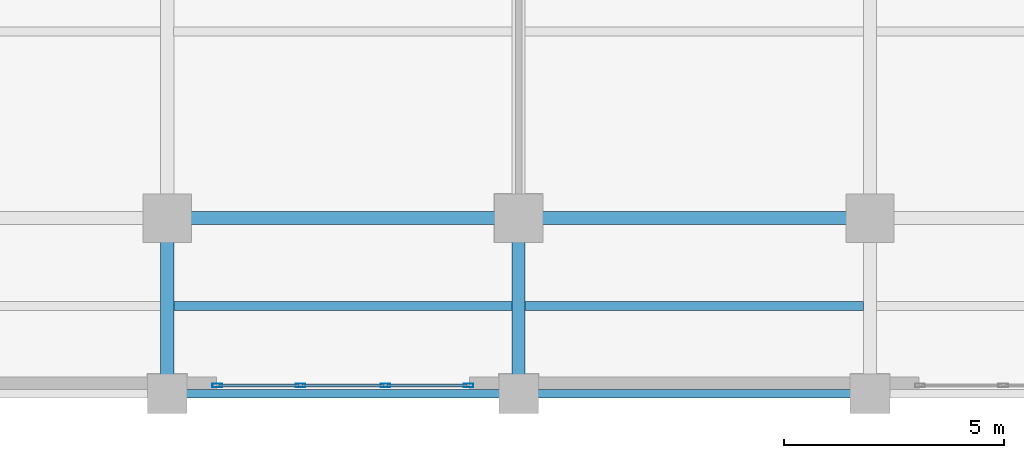
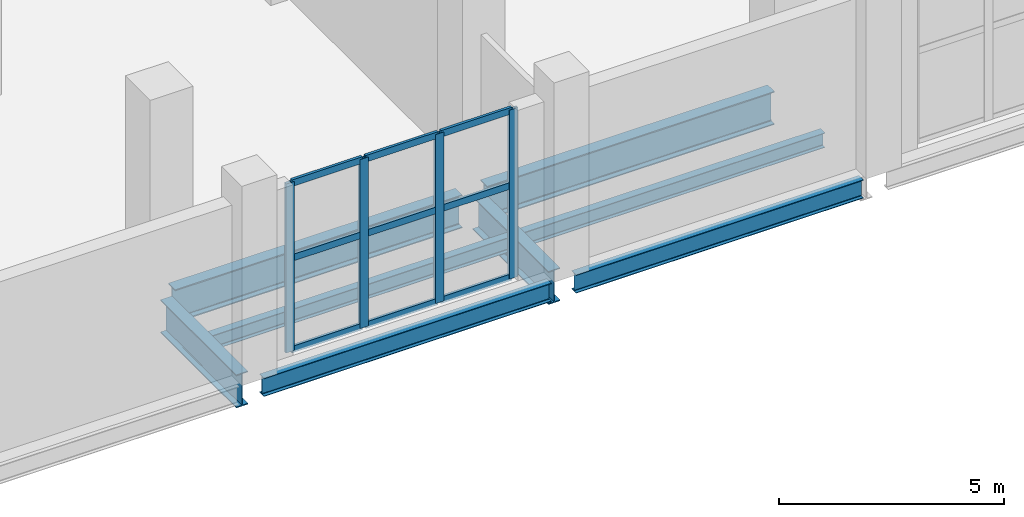
# One storey, part 6 of 18: 13 members, 8 beams, 1 element without a shape of its own.
"""IFC4 building model written with IfcOpenShell, lengths in metres."""

import ifcopenshell
import ifcopenshell.guid

model = None  # the IFC model being written
_history = None  # IfcOwnerHistory: only IFC2X3 demands one
_inside = {}  # id of a spatial element -> (the spatial element, [elements in it])
_under = {}  # id of a project, library or spatial element -> (it, [spatial elements below it])
_declared = {}  # id of a project -> (the project, [libraries it declares])
_typed = {}  # id of a type object -> (the type object, [elements of that type])
_made_of = {}  # id of a material, layer set ... -> (it, [elements and type objects made of it])


def new_model(schema):
    """Start an empty IFC model of exactly this schema.

    Asked for "IFC4X3", IfcOpenShell would pick the latest addendum, in which some entities
    have other attributes; the version numbers below select the first issue.
    IFC2X3 requires an IfcOwnerHistory on every rooted entity: one is made here for all.
    """
    global model, _history
    if schema == "IFC4X3":
        model = ifcopenshell.file(schema_version=(4, 3, 0, 0))
    else:
        model = ifcopenshell.file(schema=schema)
    _inside.clear()
    _under.clear()
    _declared.clear()
    _typed.clear()
    _made_of.clear()
    _history = None
    if model.schema == "IFC2X3":
        org = make("IfcOrganization", Name="unknown")
        user = make(
            "IfcPersonAndOrganization",
            ThePerson=make("IfcPerson", FamilyName="unknown"),
            TheOrganization=org,
        )
        app = make(
            "IfcApplication",
            ApplicationDeveloper=org,
            Version="unknown",
            ApplicationFullName="unknown",
            ApplicationIdentifier="unknown",
        )
        _history = make(
            "IfcOwnerHistory",
            OwningUser=user,
            OwningApplication=app,
            ChangeAction="ADDED",
            CreationDate=0,
        )
    return model


def make(cls, **values):
    """One entity of the class cls with the attributes given. An attribute that is None is left unset."""
    return model.create_entity(
        cls, **{name: value for name, value in values.items() if value is not None}
    )


def rooted(cls, **values):
    """An entity with a GlobalId (a new one), such as an element, a storey or a relation."""
    return make(cls, GlobalId=ifcopenshell.guid.new(), OwnerHistory=_history, **values)


def si_unit(unit_type, name, prefix=None):
    """IfcSIUnit, for example si_unit("LENGTHUNIT", "METRE", prefix="MILLI")."""
    return make("IfcSIUnit", UnitType=unit_type, Prefix=prefix, Name=name)


def assignment(units):
    """IfcUnitAssignment: the units of a project."""
    return None if units is None else make("IfcUnitAssignment", Units=units)


def point(xyz):
    """IfcCartesianPoint."""
    return None if xyz is None else make("IfcCartesianPoint", Coordinates=xyz)


def direction(xyz):
    """IfcDirection."""
    return None if xyz is None else make("IfcDirection", DirectionRatios=xyz)


def frame(location, z_axis=None, x_axis=None):
    """IfcAxis2Placement3D, a coordinate frame: its origin and axes. An axis left out is left unset."""
    return make(
        "IfcAxis2Placement3D",
        Location=point(location),
        Axis=direction(z_axis),
        RefDirection=direction(x_axis),
    )


def frame_2d(location, x_axis=None):
    """IfcAxis2Placement2D, a coordinate frame in the plane: its origin and x axis."""
    return make(
        "IfcAxis2Placement2D", Location=point(location), RefDirection=direction(x_axis)
    )


def origin():
    """The frame at (0, 0, 0) with its axes left unset."""
    return frame((0.0, 0.0, 0.0))


def origin_2d():
    """The frame at (0, 0) in the plane with its x axis left unset."""
    return frame_2d((0.0, 0.0))


def place(relative_to, where):
    """IfcLocalPlacement: puts the frame where relative to a parent placement (None: the world)."""
    return make(
        "IfcLocalPlacement", PlacementRelTo=relative_to, RelativePlacement=where
    )


def context(
    kind, dimensions, precision=None, world=None, true_north=None, identifier=None
):
    """IfcGeometricRepresentationContext, for example the 3D "Model" context."""
    return make(
        "IfcGeometricRepresentationContext",
        ContextIdentifier=identifier,
        ContextType=kind,
        CoordinateSpaceDimension=dimensions,
        Precision=precision,
        WorldCoordinateSystem=world,
        TrueNorth=true_north,
    )


def subcontext(parent, identifier, kind, view, scale=None):
    """IfcGeometricRepresentationSubContext, for example "Body" below "Model"."""
    return make(
        "IfcGeometricRepresentationSubContext",
        ContextIdentifier=identifier,
        ContextType=kind,
        ParentContext=parent,
        TargetScale=scale,
        TargetView=view,
    )


def project(units=None, contexts=None):
    """IfcProject with its units and contexts."""
    return rooted(
        "IfcProject",
        Name="project",
        RepresentationContexts=contexts,
        UnitsInContext=assignment(units),
    )


def spatial(cls, under=None, at=None, **own):
    """A site, building, storey or space (cls), placed at a placement, below another one or the project."""
    s = rooted(cls, ObjectPlacement=at, **own)
    if under is not None:
        _under.setdefault(under.id(), (under, []))[1].append(s)
    return s


def profile(cls, at=None, kind="AREA", **sizes):
    """A parametric profile (cls). Its sizes go by their IFC names, for example OverallWidth=200.0."""
    return make(cls, ProfileType=kind, Position=at, **sizes)


def hollow_rectangle(**sizes):
    """IfcRectangleHollowProfileDef."""
    return profile("IfcRectangleHollowProfileDef", **sizes)


def i_section(**sizes):
    """IfcIShapeProfileDef."""
    return profile("IfcIShapeProfileDef", **sizes)


def extrude(swept, where, along, depth):
    """IfcExtrudedAreaSolid: the profile swept, set in the frame where, extruded along a direction by depth."""
    return make(
        "IfcExtrudedAreaSolid",
        SweptArea=swept,
        Position=where,
        ExtrudedDirection=direction(along),
        Depth=depth,
    )


def shape(context_of_items, identifier, shape_type, items):
    """IfcShapeRepresentation: the items that make up one representation, for example the "Body"."""
    return make(
        "IfcShapeRepresentation",
        ContextOfItems=context_of_items,
        RepresentationIdentifier=identifier,
        RepresentationType=shape_type,
        Items=items,
    )


def material(Name=None, Category=None):
    """IfcMaterial."""
    return make("IfcMaterial", Name=Name, Category=Category)


def layer(
    of_material, thickness, ventilated=None, Name=None, Category=None, Priority=None
):
    """IfcMaterialLayer: one layer of a wall or slab, of a material (None: an air gap)."""
    return make(
        "IfcMaterialLayer",
        Material=of_material,
        LayerThickness=thickness,
        IsVentilated=ventilated,
        Name=Name,
        Category=Category,
        Priority=Priority,
    )


def layer_set(layers, Name=None):
    """IfcMaterialLayerSet."""
    return make("IfcMaterialLayerSet", MaterialLayers=layers, LayerSetName=Name)


def material_profile(
    of_material, cross_section, Name=None, Category=None, Priority=None
):
    """IfcMaterialProfile: a cross section and its material."""
    return make(
        "IfcMaterialProfile",
        Name=Name,
        Material=of_material,
        Profile=cross_section,
        Priority=Priority,
        Category=Category,
    )


def profile_set(profiles, Name=None, composite=None):
    """IfcMaterialProfileSet."""
    return make(
        "IfcMaterialProfileSet",
        Name=Name,
        MaterialProfiles=profiles,
        CompositeProfile=composite,
    )


def made_of(thing, what):
    """Note that an element or type object is made of a material, layer set ...; save() writes the relation."""
    if what is not None:
        _made_of.setdefault(what.id(), (what, []))[1].append(thing)
    return thing


def type_object(cls, material=None, **own):
    """A type object (cls), such as IfcWallType, which elements share."""
    return made_of(rooted(cls, **own), material)


def element(
    cls,
    number,
    at=None,
    inside=None,
    cuts=None,
    type_object=None,
    material=None,
    context=None,
    identifier="Body",
    shape_type=None,
    held_by="IfcProductDefinitionShape",
    body=None,
    shapes=None,
    **own,
):
    """One element of the class cls, such as IfcWall. Its Tag is "e" and its number.

    at: its placement. inside: the storey or other place that contains it. cuts: it is an
    opening in that element (IfcRelVoidsElement). A single representation is given by context,
    identifier, shape_type and body (its items); several are given by shapes. held_by: the class
    of the entity that holds the representations. save() writes the other relations.
    """
    e = rooted(cls, Tag="e%d" % number, ObjectPlacement=at, **own)
    if body is not None:
        shapes = [shape(context, identifier, shape_type, body)]
    if shapes is not None:
        e.Representation = make(held_by, Representations=shapes)
    if inside is not None:
        _inside.setdefault(inside.id(), (inside, []))[1].append(e)
    if cuts is not None:
        rooted(
            "IfcRelVoidsElement", RelatingBuildingElement=cuts, RelatedOpeningElement=e
        )
    if type_object is not None:
        _typed.setdefault(type_object.id(), (type_object, []))[1].append(e)
    return made_of(e, material)


def aggregate(whole, parts):
    """IfcRelAggregates: a whole, such as a stair, and the parts it consists of."""
    return rooted("IfcRelAggregates", RelatingObject=whole, RelatedObjects=parts)


def save(model, path):
    """Write the relations noted so far, then the file.

    IfcRelAggregates (storeys below a building ...), IfcRelContainedInSpatialStructure (elements
    in a storey), IfcRelDefinesByType, IfcRelAssociatesMaterial and IfcRelDeclares: one each for
    every whole, place, type object, material and project.
    """
    for whole, parts in _under.values():
        aggregate(whole, parts)
    for where, things in _inside.values():
        rooted(
            "IfcRelContainedInSpatialStructure",
            RelatedElements=things,
            RelatingStructure=where,
        )
    for kind, things in _typed.values():
        rooted("IfcRelDefinesByType", RelatedObjects=things, RelatingType=kind)
    for what, things in _made_of.values():
        rooted("IfcRelAssociatesMaterial", RelatedObjects=things, RelatingMaterial=what)
    for by, libraries in _declared.values():
        rooted("IfcRelDeclares", RelatingContext=by, RelatedDefinitions=libraries)
    model.write(path)


model = new_model("IFC4")

# Units and contexts
model_context = context("Model", 3, precision=1e-05, world=origin(), true_north=direction((0.0, 1.0)))
body_context = subcontext(model_context, "Body", "Model", "MODEL_VIEW")
ifc_project = project(units=[si_unit("LENGTHUNIT", "METRE"), si_unit("AREAUNIT", "SQUARE_METRE"), si_unit("VOLUMEUNIT", "CUBIC_METRE"), si_unit("PLANEANGLEUNIT", "RADIAN"), si_unit("MASSUNIT", "GRAM", prefix="KILO")], contexts=[model_context])

# Site, building, storey
site_placement = place(None, origin())
site = spatial("IfcSite", under=ifc_project, at=site_placement, CompositionType="ELEMENT")
building_placement = place(site_placement, origin())
building = spatial("IfcBuilding", under=site, at=building_placement, Name="Qianrong Seaharbour Tower", CompositionType="ELEMENT")
storey_placement = place(building_placement, frame((0.0, 0.0, 6.0)))
storey = spatial("IfcBuildingStorey", under=building, at=storey_placement, Name="L02", CompositionType="ELEMENT", Elevation=6.0)

# Beams
ifc_material_1 = material(Name="Structural steel SN490B", Category="steel")
ifc_material_profile_1 = material_profile(ifc_material_1, i_section(OverallWidth=0.300048828125, OverallDepth=0.89990234375, WebThickness=0.01611328125, FlangeThickness=0.028076171875, FilletRadius=0.028076171875, at=origin_2d()), Name="H900x300x16x28")
ifc_profile_set_1 = profile_set([ifc_material_profile_1], Name="Structural steel SN490B")
beam_type_1 = type_object("IfcBeamType", Name="BM-G-900", PredefinedType="BEAM", material=ifc_profile_set_1)
for number, where, z_axis, x_axis, name in (
    (1, (32.820068359375, 4.0, -0.72998046875), (1.0, 0.0, 0.0), (0.0, 1.0, 0.0), "L02 Primary Girder GB G5-G6"),
    (2, (40.820068359375, 4.0, -0.72998046875), (1.0, 0.0, 0.0), (0.0, 1.0, 0.0), "L02 Primary Girder GB G6-G7"),
):
    element("IfcBeam", number, at=place(storey_placement, frame(where, z_axis=z_axis, x_axis=x_axis)), inside=storey, type_object=beam_type_1, Name=name, PredefinedType="BEAM", context=body_context, shape_type="SweptSolid", body=[
        extrude(i_section(OverallWidth=0.300048828125, OverallDepth=0.89990234375, WebThickness=0.01611328125, FlangeThickness=0.028076171875, FilletRadius=0.028076171875, at=origin_2d()), origin(), (0.0, 0.0, 1.0), 7.35986328125),
    ])
for number, where, z_axis, x_axis, name in (
    (3, (32.5, 0.320068359375, -0.72998046875), (0.0, 1.0, 0.0), (-1.0, 0.0, 0.0), "L02 Primary Girder G5 GA-GB"),
    (4, (40.5, 0.320068359375, -0.72998046875), (0.0, 1.0, 0.0), (-1.0, 0.0, 0.0), "L02 Primary Girder G6 GA-GB"),
):
    element("IfcBeam", number, at=place(storey_placement, frame(where, z_axis=z_axis, x_axis=x_axis)), inside=storey, type_object=beam_type_1, Name=name, PredefinedType="BEAM", context=body_context, shape_type="SweptSolid", body=[
        extrude(i_section(OverallWidth=0.300048828125, OverallDepth=0.89990234375, WebThickness=0.01611328125, FlangeThickness=0.028076171875, FilletRadius=0.028076171875, at=origin_2d()), origin(), (0.0, 0.0, 1.0), 3.35986328125),
    ])
ifc_material_2 = material(Name="Structural steel SN400B", Category="steel")
ifc_material_profile_2 = material_profile(ifc_material_2, i_section(OverallWidth=0.199951171875, OverallDepth=0.39990234375, WebThickness=0.008056640625, FlangeThickness=0.012939453125, FilletRadius=0.01611328125, at=origin_2d()), Name="H400x200x8x13")
ifc_profile_set_2 = profile_set([ifc_material_profile_2], Name="Structural steel SN400B")
beam_type_2 = type_object("IfcBeamType", Name="BM-J-400", PredefinedType="JOIST", material=ifc_profile_set_2)
for number, where, z_axis, x_axis, name in (
    (5, (32.64990234375, 2.0, -0.47998046875), (1.0, 0.0, 0.0), (0.0, 1.0, 0.0), "L02 Composite Floor Joist G5-G6/GA-GB"),
    (6, (40.64990234375, 2.0, -0.47998046875), (1.0, 0.0, 0.0), (0.0, 1.0, 0.0), "L02 Composite Floor Joist G6-G7/GA-GB"),
):
    element("IfcBeam", number, at=place(storey_placement, frame(where, z_axis=z_axis, x_axis=x_axis)), inside=storey, type_object=beam_type_2, Name=name, PredefinedType="JOIST", context=body_context, shape_type="SweptSolid", body=[
        extrude(i_section(OverallWidth=0.199951171875, OverallDepth=0.39990234375, WebThickness=0.008056640625, FlangeThickness=0.012939453125, FilletRadius=0.01611328125, at=origin_2d()), origin(), (0.0, 0.0, 1.0), 7.7001953125),
    ])
ifc_material_profile_3 = material_profile(ifc_material_1, i_section(OverallWidth=0.199951171875, OverallDepth=0.5, WebThickness=0.010009765625, FlangeThickness=0.01611328125, FilletRadius=0.02001953125, at=origin_2d()), Name="H500x200x10x16")
ifc_profile_set_3 = profile_set([ifc_material_profile_3], Name="Structural steel SN490B")
beam_type_3 = type_object("IfcBeamType", Name="BM-SP-500", PredefinedType="SPANDREL", material=ifc_profile_set_3)
for number, where, z_axis, x_axis, name in (
    (7, (32.820068359375, 0.0, -0.530029296875), (1.0, 0.0, 0.0), (0.0, 1.0, 0.0), "L02 Spandrel Girder GA G5-G6"),
    (8, (40.820068359375, 0.0, -0.530029296875), (1.0, 0.0, 0.0), (0.0, 1.0, 0.0), "L02 Spandrel Girder GA G6-G7"),
):
    element("IfcBeam", number, at=place(storey_placement, frame(where, z_axis=z_axis, x_axis=x_axis)), inside=storey, type_object=beam_type_3, Name=name, PredefinedType="SPANDREL", context=body_context, shape_type="SweptSolid", body=[
        extrude(i_section(OverallWidth=0.199951171875, OverallDepth=0.5, WebThickness=0.010009765625, FlangeThickness=0.01611328125, FilletRadius=0.02001953125, at=origin_2d()), origin(), (0.0, 0.0, 1.0), 7.35986328125),
    ])

# Curtain wall, members
ifc_material_3 = material(Name="Anodised aluminium 6063-T6 and laminated low-e glass", Category="aluminium")
ifc_layer = layer(ifc_material_3, 0.219970703125)
ifc_layer_set = layer_set([ifc_layer], Name="Anodised aluminium 6063-T6 and laminated low-e glass")
curtain_wall_type = type_object("IfcCurtainWallType", Name="CW-SYS-1", PredefinedType="NOTDEFINED", material=ifc_layer_set)
curtain_wall_placement = place(storey_placement, origin())
curtain_wall = element("IfcCurtainWall", 9, at=curtain_wall_placement, inside=storey, type_object=curtain_wall_type, Name="L02 Waterfront Colonnade Curtain Wall Bay 3", PredefinedType="NOTDEFINED")
ifc_material_4 = material(Name="Extruded aluminium 6063-T6", Category="aluminium")
ifc_material_profile_4 = material_profile(ifc_material_4, hollow_rectangle(XDim=0.080078125, YDim=0.219970703125, WallThickness=0.0048828125, at=origin_2d()), Name="ALU-MUL-220x80x5")
ifc_profile_set_4 = profile_set([ifc_material_profile_4], Name="Extruded aluminium 6063-T6")
member_type_1 = type_object("IfcMemberType", Name="CW-MUL-220", PredefinedType="MULLION", material=ifc_profile_set_4)
member_1_placement = place(storey_placement, frame((39.360107421875, 0.18994140625, 0.0), z_axis=(0.0, 0.0, 1.0), x_axis=(0.0, -1.0, 0.0)))
member_1 = element("IfcMember", 10, at=member_1_placement, type_object=member_type_1, Name="CW-1 mullion 1", PredefinedType="MULLION", context=body_context, shape_type="SweptSolid", body=[
    extrude(hollow_rectangle(XDim=0.080078125, YDim=0.219970703125, WallThickness=0.0048828125, at=origin_2d()), origin(), (0.0, 0.0, 1.0), 4.580078125),
])
member_2_placement = place(storey_placement, frame((37.466552734375, 0.18994140625, 0.0), z_axis=(0.0, 0.0, 1.0), x_axis=(0.0, -1.0, 0.0)))
member_2 = element("IfcMember", 11, at=member_2_placement, type_object=member_type_1, Name="CW-1 mullion 2", PredefinedType="MULLION", context=body_context, shape_type="SweptSolid", body=[
    extrude(hollow_rectangle(XDim=0.080078125, YDim=0.219970703125, WallThickness=0.0048828125, at=origin_2d()), origin(), (0.0, 0.0, 1.0), 4.580078125),
])
member_3_placement = place(storey_placement, frame((35.533447265625, 0.18994140625, 0.0), z_axis=(0.0, 0.0, 1.0), x_axis=(0.0, -1.0, 0.0)))
member_3 = element("IfcMember", 12, at=member_3_placement, type_object=member_type_1, Name="CW-1 mullion 3", PredefinedType="MULLION", context=body_context, shape_type="SweptSolid", body=[
    extrude(hollow_rectangle(XDim=0.080078125, YDim=0.219970703125, WallThickness=0.0048828125, at=origin_2d()), origin(), (0.0, 0.0, 1.0), 4.580078125),
])
member_4_placement = place(storey_placement, frame((33.639892578125, 0.18994140625, 0.0), z_axis=(0.0, 0.0, 1.0), x_axis=(0.0, -1.0, 0.0)))
member_4 = element("IfcMember", 13, at=member_4_placement, type_object=member_type_1, Name="CW-1 mullion 4", PredefinedType="MULLION", context=body_context, shape_type="SweptSolid", body=[
    extrude(hollow_rectangle(XDim=0.080078125, YDim=0.219970703125, WallThickness=0.0048828125, at=origin_2d()), origin(), (0.0, 0.0, 1.0), 4.580078125),
])
ifc_material_profile_5 = material_profile(ifc_material_4, hollow_rectangle(XDim=0.070068359375, YDim=0.179931640625, WallThickness=0.00390625, at=origin_2d()), Name="ALU-TRN-180x70x4")
ifc_profile_set_5 = profile_set([ifc_material_profile_5], Name="Extruded aluminium 6063-T6")
member_type_2 = type_object("IfcMemberType", Name="CW-TRN-180", PredefinedType="USERDEFINED", material=ifc_profile_set_5)
member_5_placement = place(storey_placement, frame((39.320068359375, 0.18994140625, 0.034912109375), z_axis=(-1.0, 0.0, 0.0), x_axis=(0.0, -1.0, 0.0)))
member_5 = element("IfcMember", 14, at=member_5_placement, type_object=member_type_2, Name="CW-1 transom 1.1", ObjectType="TRANSOM", PredefinedType="USERDEFINED", context=body_context, shape_type="SweptSolid", body=[
    extrude(hollow_rectangle(XDim=0.070068359375, YDim=0.179931640625, WallThickness=0.00390625, at=origin_2d()), origin(), (0.0, 0.0, 1.0), 1.8134765625),
])
member_6_placement = place(storey_placement, frame((39.320068359375, 0.18994140625, 2.51904296875), z_axis=(-1.0, 0.0, 0.0), x_axis=(0.0, -1.0, 0.0)))
member_6 = element("IfcMember", 15, at=member_6_placement, type_object=member_type_2, Name="CW-1 transom 1.2", ObjectType="TRANSOM", PredefinedType="USERDEFINED", context=body_context, shape_type="SweptSolid", body=[
    extrude(hollow_rectangle(XDim=0.070068359375, YDim=0.179931640625, WallThickness=0.00390625, at=origin_2d()), origin(), (0.0, 0.0, 1.0), 1.8134765625),
])
member_7_placement = place(storey_placement, frame((39.320068359375, 0.18994140625, 4.544921875), z_axis=(-1.0, 0.0, 0.0), x_axis=(0.0, -1.0, 0.0)))
member_7 = element("IfcMember", 16, at=member_7_placement, type_object=member_type_2, Name="CW-1 transom 1.3", ObjectType="TRANSOM", PredefinedType="USERDEFINED", context=body_context, shape_type="SweptSolid", body=[
    extrude(hollow_rectangle(XDim=0.070068359375, YDim=0.179931640625, WallThickness=0.00390625, at=origin_2d()), origin(), (0.0, 0.0, 1.0), 1.8134765625),
])
member_8_placement = place(storey_placement, frame((37.4267578125, 0.18994140625, 0.034912109375), z_axis=(-1.0, 0.0, 0.0), x_axis=(0.0, -1.0, 0.0)))
member_8 = element("IfcMember", 17, at=member_8_placement, type_object=member_type_2, Name="CW-1 transom 2.1", ObjectType="TRANSOM", PredefinedType="USERDEFINED", context=body_context, shape_type="SweptSolid", body=[
    extrude(hollow_rectangle(XDim=0.070068359375, YDim=0.179931640625, WallThickness=0.00390625, at=origin_2d()), origin(), (0.0, 0.0, 1.0), 1.853515625),
])
member_9_placement = place(storey_placement, frame((37.4267578125, 0.18994140625, 2.51904296875), z_axis=(-1.0, 0.0, 0.0), x_axis=(0.0, -1.0, 0.0)))
member_9 = element("IfcMember", 18, at=member_9_placement, type_object=member_type_2, Name="CW-1 transom 2.2", ObjectType="TRANSOM", PredefinedType="USERDEFINED", context=body_context, shape_type="SweptSolid", body=[
    extrude(hollow_rectangle(XDim=0.070068359375, YDim=0.179931640625, WallThickness=0.00390625, at=origin_2d()), origin(), (0.0, 0.0, 1.0), 1.853515625),
])
member_10_placement = place(storey_placement, frame((37.4267578125, 0.18994140625, 4.544921875), z_axis=(-1.0, 0.0, 0.0), x_axis=(0.0, -1.0, 0.0)))
member_10 = element("IfcMember", 19, at=member_10_placement, type_object=member_type_2, Name="CW-1 transom 2.3", ObjectType="TRANSOM", PredefinedType="USERDEFINED", context=body_context, shape_type="SweptSolid", body=[
    extrude(hollow_rectangle(XDim=0.070068359375, YDim=0.179931640625, WallThickness=0.00390625, at=origin_2d()), origin(), (0.0, 0.0, 1.0), 1.853515625),
])
member_11_placement = place(storey_placement, frame((35.493408203125, 0.18994140625, 0.034912109375), z_axis=(-1.0, 0.0, 0.0), x_axis=(0.0, -1.0, 0.0)))
member_11 = element("IfcMember", 20, at=member_11_placement, type_object=member_type_2, Name="CW-1 transom 3.1", ObjectType="TRANSOM", PredefinedType="USERDEFINED", context=body_context, shape_type="SweptSolid", body=[
    extrude(hollow_rectangle(XDim=0.070068359375, YDim=0.179931640625, WallThickness=0.00390625, at=origin_2d()), origin(), (0.0, 0.0, 1.0), 1.8134765625),
])
member_12_placement = place(storey_placement, frame((35.493408203125, 0.18994140625, 2.51904296875), z_axis=(-1.0, 0.0, 0.0), x_axis=(0.0, -1.0, 0.0)))
member_12 = element("IfcMember", 21, at=member_12_placement, type_object=member_type_2, Name="CW-1 transom 3.2", ObjectType="TRANSOM", PredefinedType="USERDEFINED", context=body_context, shape_type="SweptSolid", body=[
    extrude(hollow_rectangle(XDim=0.070068359375, YDim=0.179931640625, WallThickness=0.00390625, at=origin_2d()), origin(), (0.0, 0.0, 1.0), 1.8134765625),
])
member_13_placement = place(storey_placement, frame((35.493408203125, 0.18994140625, 4.544921875), z_axis=(-1.0, 0.0, 0.0), x_axis=(0.0, -1.0, 0.0)))
member_13 = element("IfcMember", 22, at=member_13_placement, type_object=member_type_2, Name="CW-1 transom 3.3", ObjectType="TRANSOM", PredefinedType="USERDEFINED", context=body_context, shape_type="SweptSolid", body=[
    extrude(hollow_rectangle(XDim=0.070068359375, YDim=0.179931640625, WallThickness=0.00390625, at=origin_2d()), origin(), (0.0, 0.0, 1.0), 1.8134765625),
])
aggregate(curtain_wall, [member_1, member_2, member_3, member_4, member_5, member_6, member_7, member_8, member_9, member_10, member_11, member_12, member_13])

save(model, "model.ifc")
